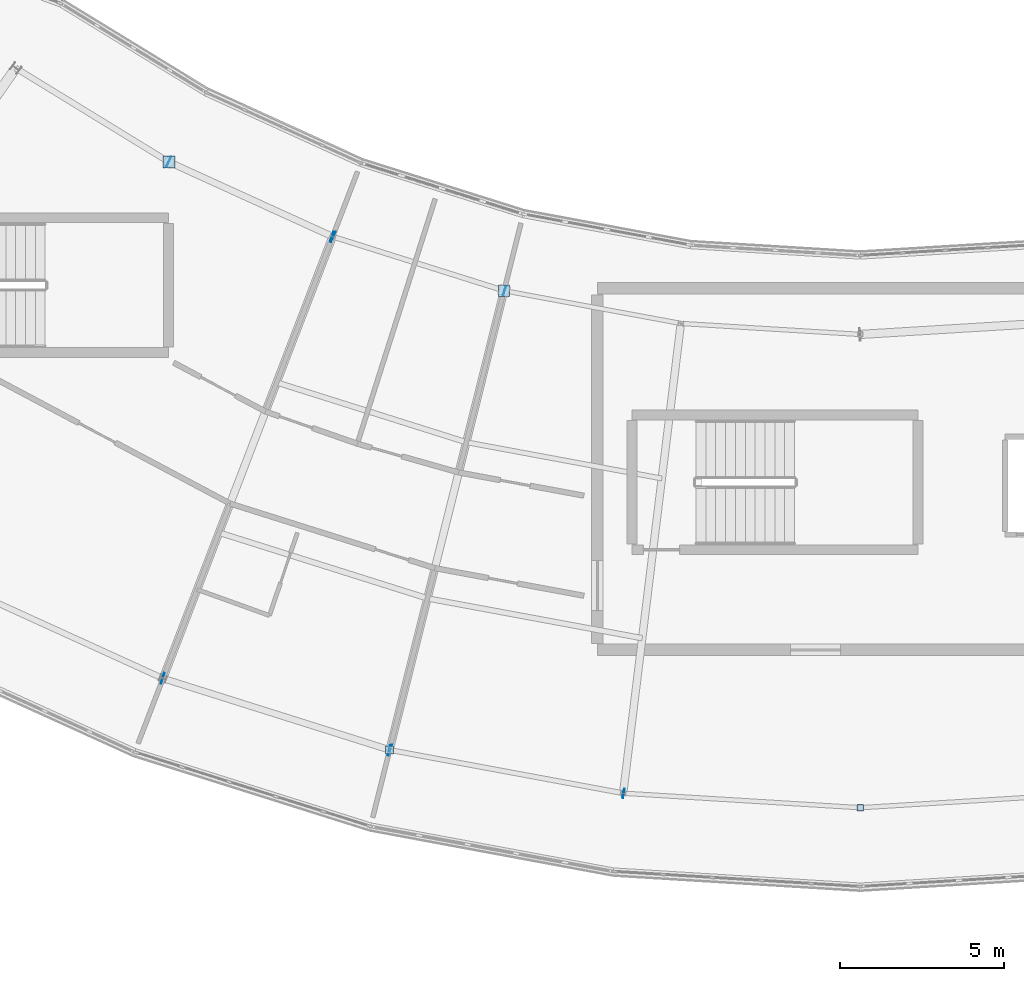
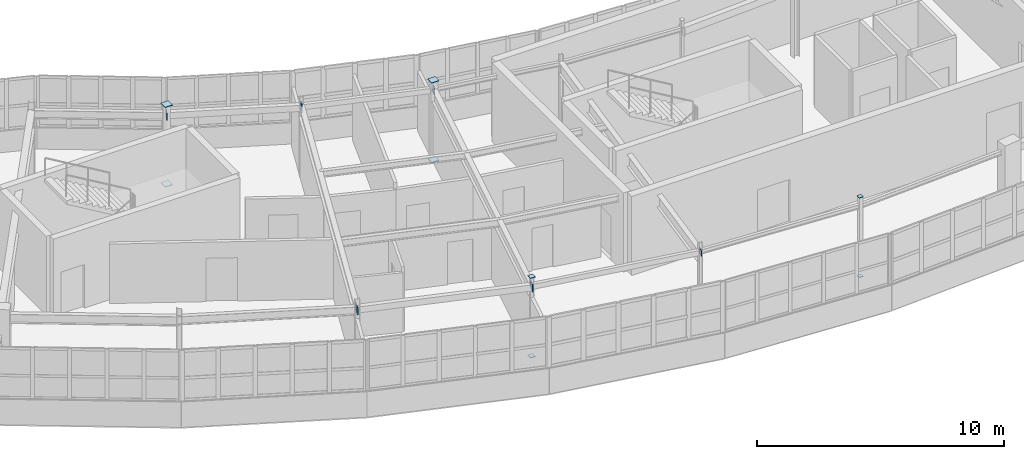
# One storey, part 56 of 79: 16 plates.
"""IFC4 building model written with IfcOpenShell, lengths in metres."""

from ifc_helpers import new_model, si_unit, direction, frame, origin, origin_2d, place, context, subcontext, project, spatial, rectangle, extrude, material, layer, layer_set, type_object, element, save


model = new_model("IFC4")

# Units and contexts
model_context = context("Model", 3, precision=1e-05, world=origin(), true_north=direction((0.0, 1.0)))
body_context = subcontext(model_context, "Body", "Model", "MODEL_VIEW")
ifc_project = project(units=[si_unit("LENGTHUNIT", "METRE"), si_unit("AREAUNIT", "SQUARE_METRE"), si_unit("VOLUMEUNIT", "CUBIC_METRE"), si_unit("PLANEANGLEUNIT", "RADIAN"), si_unit("MASSUNIT", "GRAM", prefix="KILO")], contexts=[model_context])

# Site, building, storey
site_placement = place(None, origin())
site = spatial("IfcSite", under=ifc_project, at=site_placement, CompositionType="ELEMENT")
building_placement = place(site_placement, origin())
building = spatial("IfcBuilding", under=site, at=building_placement, Name="Tarnwether General Hospital", CompositionType="ELEMENT")
storey_placement = place(building_placement, frame((0.0, 0.0, 18.300048828125)))
storey = spatial("IfcBuildingStorey", under=building, at=storey_placement, Name="L04", CompositionType="ELEMENT", Elevation=18.300048828125)

# Plates
ifc_material = material(Name="Steel Grade 350 (350 MPa)", Category="steel")
ifc_layer = layer(ifc_material, 0.02490234375)
ifc_layer_set = layer_set([ifc_layer], Name="Steel Grade 350 (350 MPa)")
plate_type = type_object("IfcPlateType", Name="PT-GUS2", PredefinedType="USERDEFINED", material=ifc_layer_set)
for number, where, z_axis, x_axis, name in (
    (1, (70.968017578125, 23.444091796875, -0.02490234375), (0.0, 0.0, 1.0), (1.0, 0.0, 0.0), "Hollow Section Welded End Cap Plate 0635"),
    (2, (70.968017578125, 23.444091796875, 3.89990234375), (0.0, 0.0, 1.0), (1.0, 0.0, 0.0), "Hollow Section Welded End Cap Plate 0636"),
):
    element("IfcPlate", number, at=place(storey_placement, frame(where, z_axis=z_axis, x_axis=x_axis)), inside=storey, type_object=plate_type, Name=name, ObjectType="GUSSET", PredefinedType="USERDEFINED", context=body_context, shape_type="SweptSolid", body=[
        extrude(rectangle(XDim=0.364013671875, YDim=0.364013671875, at=origin_2d()), origin(), (0.0, 0.0, 1.0), 0.02490234375),
    ])
for number, where, z_axis, x_axis, name in (
    (3, (77.677978515625, 5.55810546875, -0.02490234375), (0.0, 0.0, 1.0), (1.0, 0.0, 0.0), "Hollow Section Welded End Cap Plate 0651"),
    (4, (77.677978515625, 5.55810546875, 3.89990234375), (0.0, 0.0, 1.0), (1.0, 0.0, 0.0), "Hollow Section Welded End Cap Plate 0652"),
):
    element("IfcPlate", number, at=place(storey_placement, frame(where, z_axis=z_axis, x_axis=x_axis)), inside=storey, type_object=plate_type, Name=name, ObjectType="GUSSET", PredefinedType="USERDEFINED", context=body_context, shape_type="SweptSolid", body=[
        extrude(rectangle(XDim=0.23388671875, YDim=0.23388671875, at=origin_2d()), origin(), (0.0, 0.0, 1.0), 0.02490234375),
    ])
for number, where, z_axis, x_axis, name in (
    (5, (81.162109375, 19.531005859375, -0.02490234375), (0.0, 0.0, 1.0), (1.0, 0.0, 0.0), "Hollow Section Welded End Cap Plate 0659"),
    (6, (81.162109375, 19.531005859375, 3.89990234375), (0.0, 0.0, 1.0), (1.0, 0.0, 0.0), "Hollow Section Welded End Cap Plate 0660"),
):
    element("IfcPlate", number, at=place(storey_placement, frame(where, z_axis=z_axis, x_axis=x_axis)), inside=storey, type_object=plate_type, Name=name, ObjectType="GUSSET", PredefinedType="USERDEFINED", context=body_context, shape_type="SweptSolid", body=[
        extrude(rectangle(XDim=0.340087890625, YDim=0.340087890625, at=origin_2d()), origin(), (0.0, 0.0, 1.0), 0.02490234375),
    ])
for number, where, z_axis, x_axis, name in (
    (7, (92.0, 3.800048828125, -0.02490234375), (0.0, 0.0, 1.0), (1.0, 0.0, 0.0), "Hollow Section Welded End Cap Plate 0681"),
    (8, (92.0, 3.800048828125, 3.89990234375), (0.0, 0.0, 1.0), (1.0, 0.0, 0.0), "Hollow Section Welded End Cap Plate 0682"),
):
    element("IfcPlate", number, at=place(storey_placement, frame(where, z_axis=z_axis, x_axis=x_axis)), inside=storey, type_object=plate_type, Name=name, ObjectType="GUSSET", PredefinedType="USERDEFINED", context=body_context, shape_type="SweptSolid", body=[
        extrude(rectangle(XDim=0.18994140625, YDim=0.18994140625, at=origin_2d()), origin(), (0.0, 0.0, 1.0), 0.02490234375),
    ])
for number, where, z_axis, x_axis, name in (
    (9, (70.95654296875, 23.44921875, 3.23974609375), (0.0, 0.0, 1.0), (0.9099685085, -0.414677360773, 0.0), "Hollow Section Welded End Cap Plate 1125"),
    (10, (75.956298828125, 21.1708984375, 3.23974609375), (0.0, 0.0, 1.0), (0.9099685085, -0.414677360773, 0.0), "Hollow Section Welded End Cap Plate 1126"),
    (11, (70.773193359375, 7.73583984375, 3.23974609375), (0.0, 0.0, 1.0), (0.953690705585, -0.300789025864, 0.0), "Hollow Section Welded End Cap Plate 1127"),
    (12, (77.68994140625, 5.55419921875, 3.23974609375), (0.0, 0.0, 1.0), (0.953690705585, -0.300789025864, 0.0), "Hollow Section Welded End Cap Plate 1128"),
):
    element("IfcPlate", number, at=place(storey_placement, frame(where, z_axis=z_axis, x_axis=x_axis)), inside=storey, type_object=plate_type, Name=name, ObjectType="GUSSET", PredefinedType="USERDEFINED", context=body_context, shape_type="SweptSolid", body=[
        extrude(rectangle(XDim=0.02490234375, YDim=0.340087890625, at=origin_2d()), origin(), (0.0, 0.0, 1.0), 0.340087890625),
    ])
for number, where, z_axis, x_axis, name in (
    (13, (75.93310546875, 21.1796875, 3.2900390625), (0.0, 0.0, 1.0), (0.953711702297, -0.300722444959, 0.0), "Hollow Section Welded End Cap Plate 1129"),
    (14, (81.173828125, 19.527099609375, 3.2900390625), (0.0, 0.0, 1.0), (0.953711702297, -0.300722444959, 0.0), "Hollow Section Welded End Cap Plate 1130"),
    (15, (77.665771484375, 5.560302734375, 3.2900390625), (0.0, 0.0, 1.0), (0.983261268185, -0.18220120331, 0.0), "Hollow Section Welded End Cap Plate 1131"),
    (16, (84.79736328125, 4.23876953125, 3.2900390625), (0.0, 0.0, 1.0), (0.983261268185, -0.18220120331, 0.0), "Hollow Section Welded End Cap Plate 1132"),
):
    element("IfcPlate", number, at=place(storey_placement, frame(where, z_axis=z_axis, x_axis=x_axis)), inside=storey, type_object=plate_type, Name=name, ObjectType="GUSSET", PredefinedType="USERDEFINED", context=body_context, shape_type="SweptSolid", body=[
        extrude(rectangle(XDim=0.02490234375, YDim=0.2900390625, at=origin_2d()), origin(), (0.0, 0.0, 1.0), 0.2900390625),
    ])

save(model, "model.ifc")
